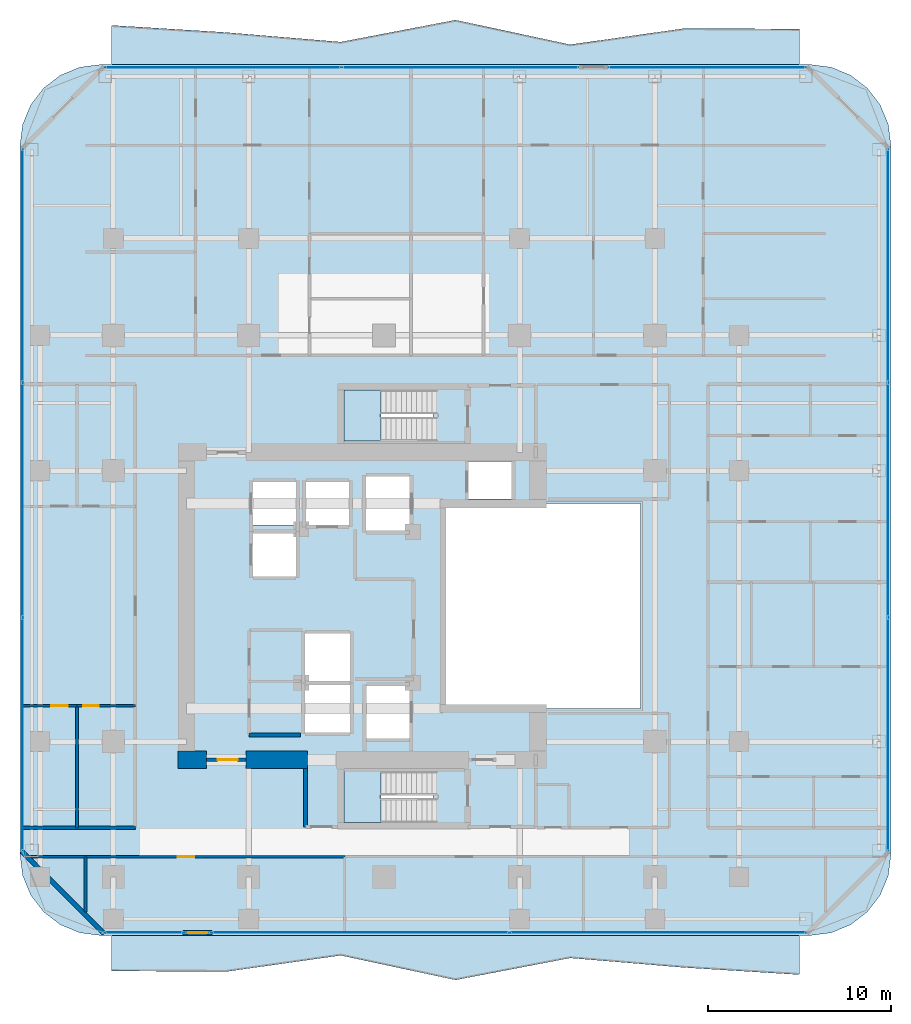
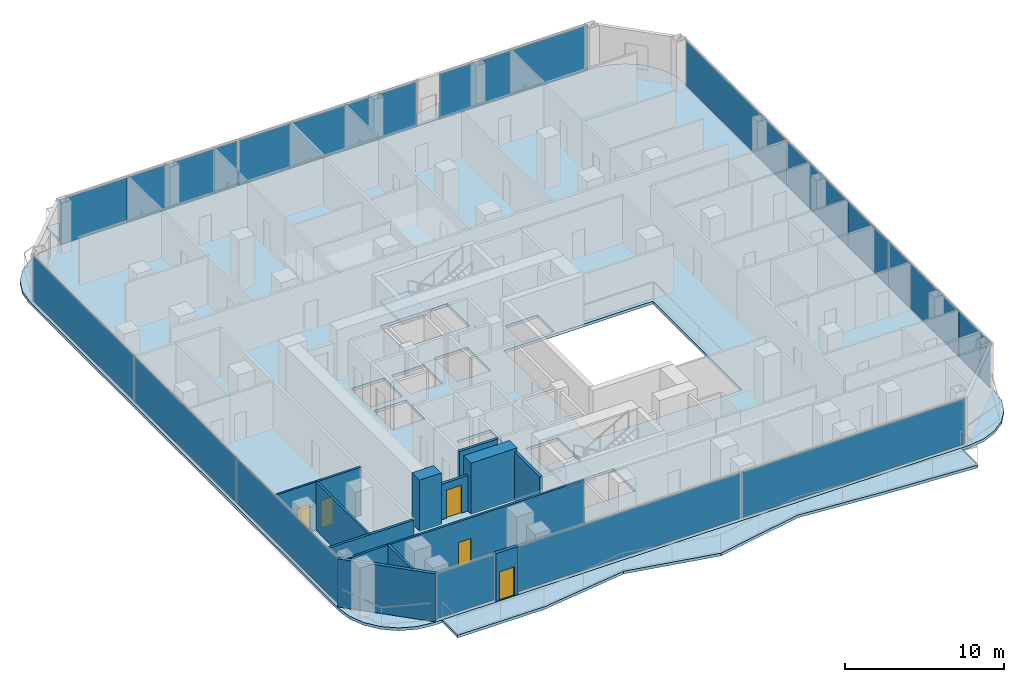
# One storey, part 19 of 27: 21 plates, 13 walls, 5 doors, 5 slabs, 5 openings, 8 elements without a shape of their own.
"""IFC4 building model written with IfcOpenShell, lengths in metres."""

import ifcopenshell
import ifcopenshell.guid

model = None  # the IFC model being written
_history = None  # IfcOwnerHistory: only IFC2X3 demands one
_inside = {}  # id of a spatial element -> (the spatial element, [elements in it])
_under = {}  # id of a project, library or spatial element -> (it, [spatial elements below it])
_declared = {}  # id of a project -> (the project, [libraries it declares])
_typed = {}  # id of a type object -> (the type object, [elements of that type])
_made_of = {}  # id of a material, layer set ... -> (it, [elements and type objects made of it])


def new_model(schema):
    """Start an empty IFC model of exactly this schema.

    Asked for "IFC4X3", IfcOpenShell would pick the latest addendum, in which some entities
    have other attributes; the version numbers below select the first issue.
    IFC2X3 requires an IfcOwnerHistory on every rooted entity: one is made here for all.
    """
    global model, _history
    if schema == "IFC4X3":
        model = ifcopenshell.file(schema_version=(4, 3, 0, 0))
    else:
        model = ifcopenshell.file(schema=schema)
    _inside.clear()
    _under.clear()
    _declared.clear()
    _typed.clear()
    _made_of.clear()
    _history = None
    if model.schema == "IFC2X3":
        org = make("IfcOrganization", Name="unknown")
        user = make(
            "IfcPersonAndOrganization",
            ThePerson=make("IfcPerson", FamilyName="unknown"),
            TheOrganization=org,
        )
        app = make(
            "IfcApplication",
            ApplicationDeveloper=org,
            Version="unknown",
            ApplicationFullName="unknown",
            ApplicationIdentifier="unknown",
        )
        _history = make(
            "IfcOwnerHistory",
            OwningUser=user,
            OwningApplication=app,
            ChangeAction="ADDED",
            CreationDate=0,
        )
    return model


def make(cls, **values):
    """One entity of the class cls with the attributes given. An attribute that is None is left unset."""
    return model.create_entity(
        cls, **{name: value for name, value in values.items() if value is not None}
    )


def rooted(cls, **values):
    """An entity with a GlobalId (a new one), such as an element, a storey or a relation."""
    return make(cls, GlobalId=ifcopenshell.guid.new(), OwnerHistory=_history, **values)


def si_unit(unit_type, name, prefix=None):
    """IfcSIUnit, for example si_unit("LENGTHUNIT", "METRE", prefix="MILLI")."""
    return make("IfcSIUnit", UnitType=unit_type, Prefix=prefix, Name=name)


def assignment(units):
    """IfcUnitAssignment: the units of a project."""
    return None if units is None else make("IfcUnitAssignment", Units=units)


def point(xyz):
    """IfcCartesianPoint."""
    return None if xyz is None else make("IfcCartesianPoint", Coordinates=xyz)


def direction(xyz):
    """IfcDirection."""
    return None if xyz is None else make("IfcDirection", DirectionRatios=xyz)


def frame(location, z_axis=None, x_axis=None):
    """IfcAxis2Placement3D, a coordinate frame: its origin and axes. An axis left out is left unset."""
    return make(
        "IfcAxis2Placement3D",
        Location=point(location),
        Axis=direction(z_axis),
        RefDirection=direction(x_axis),
    )


def frame_2d(location, x_axis=None):
    """IfcAxis2Placement2D, a coordinate frame in the plane: its origin and x axis."""
    return make(
        "IfcAxis2Placement2D", Location=point(location), RefDirection=direction(x_axis)
    )


def origin():
    """The frame at (0, 0, 0) with its axes left unset."""
    return frame((0.0, 0.0, 0.0))


def origin_2d():
    """The frame at (0, 0) in the plane with its x axis left unset."""
    return frame_2d((0.0, 0.0))


def place(relative_to, where):
    """IfcLocalPlacement: puts the frame where relative to a parent placement (None: the world)."""
    return make(
        "IfcLocalPlacement", PlacementRelTo=relative_to, RelativePlacement=where
    )


def context(
    kind, dimensions, precision=None, world=None, true_north=None, identifier=None
):
    """IfcGeometricRepresentationContext, for example the 3D "Model" context."""
    return make(
        "IfcGeometricRepresentationContext",
        ContextIdentifier=identifier,
        ContextType=kind,
        CoordinateSpaceDimension=dimensions,
        Precision=precision,
        WorldCoordinateSystem=world,
        TrueNorth=true_north,
    )


def subcontext(parent, identifier, kind, view, scale=None):
    """IfcGeometricRepresentationSubContext, for example "Body" below "Model"."""
    return make(
        "IfcGeometricRepresentationSubContext",
        ContextIdentifier=identifier,
        ContextType=kind,
        ParentContext=parent,
        TargetScale=scale,
        TargetView=view,
    )


def project(units=None, contexts=None):
    """IfcProject with its units and contexts."""
    return rooted(
        "IfcProject",
        Name="project",
        RepresentationContexts=contexts,
        UnitsInContext=assignment(units),
    )


def spatial(cls, under=None, at=None, **own):
    """A site, building, storey or space (cls), placed at a placement, below another one or the project."""
    s = rooted(cls, ObjectPlacement=at, **own)
    if under is not None:
        _under.setdefault(under.id(), (under, []))[1].append(s)
    return s


def polyline(points):
    """IfcPolyline through the points."""
    return make("IfcPolyline", Points=[point(p) for p in points])


def profile(cls, at=None, kind="AREA", **sizes):
    """A parametric profile (cls). Its sizes go by their IFC names, for example OverallWidth=200.0."""
    return make(cls, ProfileType=kind, Position=at, **sizes)


def rectangle(**sizes):
    """IfcRectangleProfileDef."""
    return profile("IfcRectangleProfileDef", **sizes)


def outline(outer, holes=None, kind="AREA"):
    """IfcArbitraryClosedProfileDef: a profile drawn as a closed curve; with holes, ...WithVoids."""
    if holes is None:
        return make("IfcArbitraryClosedProfileDef", ProfileType=kind, OuterCurve=outer)
    return make(
        "IfcArbitraryProfileDefWithVoids",
        ProfileType=kind,
        OuterCurve=outer,
        InnerCurves=holes,
    )


def extrude(swept, where, along, depth):
    """IfcExtrudedAreaSolid: the profile swept, set in the frame where, extruded along a direction by depth."""
    return make(
        "IfcExtrudedAreaSolid",
        SweptArea=swept,
        Position=where,
        ExtrudedDirection=direction(along),
        Depth=depth,
    )


def shape(context_of_items, identifier, shape_type, items):
    """IfcShapeRepresentation: the items that make up one representation, for example the "Body"."""
    return make(
        "IfcShapeRepresentation",
        ContextOfItems=context_of_items,
        RepresentationIdentifier=identifier,
        RepresentationType=shape_type,
        Items=items,
    )


def material(Name=None, Category=None):
    """IfcMaterial."""
    return make("IfcMaterial", Name=Name, Category=Category)


def layer(
    of_material, thickness, ventilated=None, Name=None, Category=None, Priority=None
):
    """IfcMaterialLayer: one layer of a wall or slab, of a material (None: an air gap)."""
    return make(
        "IfcMaterialLayer",
        Material=of_material,
        LayerThickness=thickness,
        IsVentilated=ventilated,
        Name=Name,
        Category=Category,
        Priority=Priority,
    )


def layer_set(layers, Name=None):
    """IfcMaterialLayerSet."""
    return make("IfcMaterialLayerSet", MaterialLayers=layers, LayerSetName=Name)


def made_of(thing, what):
    """Note that an element or type object is made of a material, layer set ...; save() writes the relation."""
    if what is not None:
        _made_of.setdefault(what.id(), (what, []))[1].append(thing)
    return thing


def type_object(cls, material=None, **own):
    """A type object (cls), such as IfcWallType, which elements share."""
    return made_of(rooted(cls, **own), material)


def element(
    cls,
    number,
    at=None,
    inside=None,
    cuts=None,
    type_object=None,
    material=None,
    context=None,
    identifier="Body",
    shape_type=None,
    held_by="IfcProductDefinitionShape",
    body=None,
    shapes=None,
    **own,
):
    """One element of the class cls, such as IfcWall. Its Tag is "e" and its number.

    at: its placement. inside: the storey or other place that contains it. cuts: it is an
    opening in that element (IfcRelVoidsElement). A single representation is given by context,
    identifier, shape_type and body (its items); several are given by shapes. held_by: the class
    of the entity that holds the representations. save() writes the other relations.
    """
    e = rooted(cls, Tag="e%d" % number, ObjectPlacement=at, **own)
    if body is not None:
        shapes = [shape(context, identifier, shape_type, body)]
    if shapes is not None:
        e.Representation = make(held_by, Representations=shapes)
    if inside is not None:
        _inside.setdefault(inside.id(), (inside, []))[1].append(e)
    if cuts is not None:
        rooted(
            "IfcRelVoidsElement", RelatingBuildingElement=cuts, RelatedOpeningElement=e
        )
    if type_object is not None:
        _typed.setdefault(type_object.id(), (type_object, []))[1].append(e)
    return made_of(e, material)


def fill(opening, filler):
    """IfcRelFillsElement: the door or window that sits in an opening."""
    return rooted(
        "IfcRelFillsElement",
        RelatingOpeningElement=opening,
        RelatedBuildingElement=filler,
    )


def aggregate(whole, parts):
    """IfcRelAggregates: a whole, such as a stair, and the parts it consists of."""
    return rooted("IfcRelAggregates", RelatingObject=whole, RelatedObjects=parts)


def save(model, path):
    """Write the relations noted so far, then the file.

    IfcRelAggregates (storeys below a building ...), IfcRelContainedInSpatialStructure (elements
    in a storey), IfcRelDefinesByType, IfcRelAssociatesMaterial and IfcRelDeclares: one each for
    every whole, place, type object, material and project.
    """
    for whole, parts in _under.values():
        aggregate(whole, parts)
    for where, things in _inside.values():
        rooted(
            "IfcRelContainedInSpatialStructure",
            RelatedElements=things,
            RelatingStructure=where,
        )
    for kind, things in _typed.values():
        rooted("IfcRelDefinesByType", RelatedObjects=things, RelatingType=kind)
    for what, things in _made_of.values():
        rooted("IfcRelAssociatesMaterial", RelatedObjects=things, RelatingMaterial=what)
    for by, libraries in _declared.values():
        rooted("IfcRelDeclares", RelatingContext=by, RelatedDefinitions=libraries)
    model.write(path)


model = new_model("IFC4")

# Units and contexts
model_context = context("Model", 3, precision=1e-05, world=origin(), true_north=direction((0.0, 1.0)))
body_context = subcontext(model_context, "Body", "Model", "MODEL_VIEW")
ifc_project = project(units=[si_unit("LENGTHUNIT", "METRE"), si_unit("AREAUNIT", "SQUARE_METRE"), si_unit("VOLUMEUNIT", "CUBIC_METRE"), si_unit("PLANEANGLEUNIT", "RADIAN"), si_unit("MASSUNIT", "GRAM", prefix="KILO")], contexts=[model_context])

# Site, building, storey
site_placement = place(None, origin())
site = spatial("IfcSite", under=ifc_project, at=site_placement, CompositionType="ELEMENT")
building_placement = place(site_placement, origin())
building = spatial("IfcBuilding", under=site, at=building_placement, Name="Khorvyn Point Tower", CompositionType="ELEMENT")
storey_placement = place(building_placement, frame((0.0, 0.0, 129.0)))
storey = spatial("IfcBuildingStorey", under=building, at=storey_placement, Name="L32", CompositionType="ELEMENT", Elevation=129.0)

# Slabs
ifc_material_1 = material(Name="Concrete C35/45", Category="concrete")
ifc_layer_1 = layer(ifc_material_1, 0.219970703125)
ifc_layer_set_1 = layer_set([ifc_layer_1], Name="Concrete C35/45 Structural Floor Slab 220")
slab_type_1 = type_object("IfcSlabType", Name="Concrete C35/45 Structural Floor Slab 220", PredefinedType="FLOOR", material=ifc_layer_set_1)
slab_1_placement = place(storey_placement, frame((0.0, 0.0, -0.219970703125)))
element("IfcSlab", 1, at=slab_1_placement, inside=storey, type_object=slab_type_1, Name="L32 Main Structural Floor Slab", PredefinedType="FLOOR", context=body_context, shape_type="SweptSolid", body=[
    extrude(outline(polyline([(-15.5, -18.0), (-16.638916015625, -17.85009765625), (-17.699951171875, -17.410400390625), (-18.611328125, -16.711181640625), (-19.310546875, -15.800048828125), (-19.75, -14.73876953125), (-19.89990234375, -13.60009765625), (-19.89990234375, 25.199951171875), (-19.75, 26.3388671875), (-19.310546875, 27.39990234375), (-18.611328125, 28.311279296875), (-17.699951171875, 29.010498046875), (-16.638916015625, 29.4501953125), (-15.5, 29.60009765625), (23.300048828125, 29.60009765625), (24.438720703125, 29.4501953125), (25.5, 29.010498046875), (26.411376953125, 28.311279296875), (27.110595703125, 27.39990234375), (27.550048828125, 26.3388671875), (27.699951171875, 25.199951171875), (27.699951171875, -13.60009765625), (27.550048828125, -14.73876953125), (27.110595703125, -15.800048828125), (26.411376953125, -16.711181640625), (25.5, -17.410400390625), (24.438720703125, -17.85009765625), (23.300048828125, -18.0), (-15.5, -18.0)]), holes=[polyline([(-1.875, -6.89990234375), (-1.875, -4.300048828125), (-4.324951171875, -4.300048828125), (-4.324951171875, -6.89990234375), (-1.875, -6.89990234375)]), polyline([(-1.875, -4.10009765625), (-1.875, -1.5), (-4.324951171875, -1.5), (-4.324951171875, -4.10009765625), (-1.875, -4.10009765625)]), polyline([(-4.824951171875, 1.625), (-4.824951171875, 3.97509765625), (-7.175048828125, 3.97509765625), (-7.175048828125, 1.625), (-4.824951171875, 1.625)]), polyline([(-7.175048828125, 4.425048828125), (-4.824951171875, 4.425048828125), (-4.824951171875, 6.77490234375), (-7.175048828125, 6.77490234375), (-7.175048828125, 4.425048828125)]), polyline([(-4.27490234375, 4.425048828125), (-1.925048828125, 4.425048828125), (-1.925048828125, 6.77490234375), (-4.27490234375, 6.77490234375), (-4.27490234375, 4.425048828125)]), polyline([(1.39990234375, 4.125), (1.39990234375, 7.074951171875), (-1.0, 7.074951171875), (-1.0, 4.125), (1.39990234375, 4.125)]), polyline([(-2.199951171875, -11.820068359375), (2.679931640625, -11.820068359375), (2.679931640625, -9.02001953125), (-2.199951171875, -9.02001953125), (-2.199951171875, -11.820068359375)]), polyline([(-0.97509765625, -7.22509765625), (1.375, -7.22509765625), (1.375, -4.375), (-0.97509765625, -4.375), (-0.97509765625, -7.22509765625)]), polyline([(14.0, -5.60009765625), (14.0, 5.60009765625), (3.199951171875, 5.60009765625), (3.199951171875, -5.60009765625), (14.0, -5.60009765625)]), polyline([(4.625, 5.85009765625), (6.97509765625, 5.85009765625), (6.97509765625, 7.905029296875), (4.625, 7.905029296875), (4.625, 5.85009765625)]), polyline([(-2.199951171875, 9.02001953125), (2.679931640625, 9.02001953125), (2.679931640625, 11.820068359375), (-2.199951171875, 11.820068359375), (-2.199951171875, 9.02001953125)])]), origin(), (0.0, 0.0, 1.0), 0.219970703125),
])
ifc_material_2 = material(Name="Concrete C40/50", Category="concrete")
ifc_layer_2 = layer(ifc_material_2, 0.2099609375)
ifc_layer_set_2 = layer_set([ifc_layer_2], Name="Concrete C40/50 Rippling Balcony Slab 210")
slab_type_2 = type_object("IfcSlabType", Name="Concrete C40/50 Rippling Balcony Slab 210", PredefinedType="USERDEFINED", material=ifc_layer_set_2)
slab_2_placement = place(storey_placement, frame((0.0, 0.0, -0.2099609375)))
element("IfcSlab", 2, at=slab_2_placement, inside=storey, type_object=slab_type_2, Name="L32 North Sinusoidal Rippling Balcony", ObjectType="BALCONY", PredefinedType="USERDEFINED", context=body_context, shape_type="SweptSolid", body=[
    extrude(outline(polyline([(22.699951171875, 29.60009765625), (22.699951171875, 31.54150390625), (16.433349609375, 31.577392578125), (10.166748046875, 30.689697265625), (3.89990234375, 32.03369140625), (-2.36669921875, 30.83251953125), (-8.63330078125, 31.35546875), (-14.89990234375, 31.74365234375), (-14.89990234375, 29.60009765625), (22.699951171875, 29.60009765625)])), origin(), (0.0, 0.0, 1.0), 0.2099609375),
])
slab_3_placement = place(storey_placement, frame((0.0, 0.0, -0.2099609375)))
element("IfcSlab", 3, at=slab_3_placement, inside=storey, type_object=slab_type_2, Name="L32 South Sinusoidal Rippling Balcony", ObjectType="BALCONY", PredefinedType="USERDEFINED", context=body_context, shape_type="SweptSolid", body=[
    extrude(outline(polyline([(-14.89990234375, -18.0), (-14.89990234375, -19.94140625), (-8.63330078125, -19.977294921875), (-2.36669921875, -19.089599609375), (3.89990234375, -20.43359375), (10.166748046875, -19.232421875), (16.433349609375, -19.75537109375), (22.699951171875, -20.1435546875), (22.699951171875, -18.0), (-14.89990234375, -18.0)])), origin(), (0.0, 0.0, 1.0), 0.2099609375),
])

# Stair, slab
stair_type = type_object("IfcStairType", Name="Tower Concrete C40/50 Dogleg Exit Stair", PredefinedType="HALF_TURN_STAIR", material=ifc_material_2)
stair_1_placement = place(storey_placement, origin())
stair_1 = element("IfcStair", 4, at=stair_1_placement, inside=storey, type_object=stair_type, Name="L32 Tower Smokeproof Exit Stair South", PredefinedType="HALF_TURN_STAIR")
ifc_layer_3 = layer(ifc_material_2, 0.199951171875)
ifc_layer_set_3 = layer_set([ifc_layer_3], Name="Concrete C40/50 Stair Landing Slab 200")
slab_type_3 = type_object("IfcSlabType", Name="Concrete C40/50 Stair Landing Slab 200", PredefinedType="LANDING", material=ifc_layer_set_3)
slab_4_placement = place(storey_placement, frame((0.0, 0.0, 1.75)))
slab_4 = element("IfcSlab", 5, at=slab_4_placement, type_object=slab_type_3, Name="ST-01 landing 1", PredefinedType="LANDING", context=body_context, shape_type="SweptSolid", body=[
    extrude(outline(polyline([(-0.179931640625, -9.02001953125), (-2.199951171875, -9.02001953125), (-2.199951171875, -11.820068359375), (-0.179931640625, -11.820068359375), (-0.179931640625, -9.02001953125)])), origin(), (0.0, 0.0, 1.0), 0.199951171875),
])
aggregate(stair_1, [slab_4])

stair_2_placement = place(storey_placement, origin())
stair_2 = element("IfcStair", 6, at=stair_2_placement, inside=storey, type_object=stair_type, Name="L32 Tower Smokeproof Exit Stair North", PredefinedType="HALF_TURN_STAIR")
slab_5_placement = place(storey_placement, frame((0.0, 0.0, 1.75)))
slab_5 = element("IfcSlab", 7, at=slab_5_placement, type_object=slab_type_3, Name="ST-02 landing 1", PredefinedType="LANDING", context=body_context, shape_type="SweptSolid", body=[
    extrude(outline(polyline([(-0.179931640625, 11.820068359375), (-2.199951171875, 11.820068359375), (-2.199951171875, 9.02001953125), (-0.179931640625, 9.02001953125), (-0.179931640625, 11.820068359375)])), origin(), (0.0, 0.0, 1.0), 0.199951171875),
])
aggregate(stair_2, [slab_5])

# Curtain wall, plates
ifc_material_3 = material(Name="Anodised aluminium 6063-T6 and laminated Low-E glass", Category="aluminium")
ifc_layer_4 = layer(ifc_material_3, 0.18994140625)
ifc_layer_set_4 = layer_set([ifc_layer_4], Name="Stick-Built Acoustic Curtain Wall CW-SYS-03")
curtain_wall_type = type_object("IfcCurtainWallType", Name="Stick-Built Acoustic Curtain Wall CW-SYS-03", PredefinedType="NOTDEFINED", material=ifc_layer_set_4)
curtain_wall_1_placement = place(storey_placement, origin())
curtain_wall_1 = element("IfcCurtainWall", 8, at=curtain_wall_1_placement, inside=storey, type_object=curtain_wall_type, Name="Curtain Wall", PredefinedType="NOTDEFINED")
ifc_material_4 = material(Name="Laminated Low-E insulated glass", Category="glass")
ifc_layer_5 = layer(ifc_material_4, 0.028076171875)
ifc_layer_set_5 = layer_set([ifc_layer_5], Name="Tempered Low-E Vision Glazing Panel CW-GL28")
plate_type = type_object("IfcPlateType", Name="Tempered Low-E Vision Glazing Panel CW-GL28", PredefinedType="CURTAIN_PANEL", material=ifc_layer_set_5)
plate_1_placement = place(storey_placement, frame((14.96923828125, -17.85009765625, 0.10009765625), z_axis=(0.0, 0.0, 1.0), x_axis=(-1.0, 0.0, 0.0)))
plate_1 = element("IfcPlate", 9, at=plate_1_placement, type_object=plate_type, Name="Panel", PredefinedType="CURTAIN_PANEL", context=body_context, shape_type="SweptSolid", body=[
    extrude(rectangle(XDim=16.16162109375, YDim=0.028076171875, at=origin_2d()), origin(), (0.0, 0.0, 1.0), 3.47998046875),
])
plate_2_placement = place(storey_placement, frame((-1.292236328125, -17.85009765625, 0.10009765625), z_axis=(0.0, 0.0, 1.0), x_axis=(-1.0, 0.0, 0.0)))
plate_2 = element("IfcPlate", 10, at=plate_2_placement, type_object=plate_type, Name="Panel", PredefinedType="CURTAIN_PANEL", context=body_context, shape_type="SweptSolid", body=[
    extrude(rectangle(XDim=16.16162109375, YDim=0.028076171875, at=origin_2d()), origin(), (0.0, 0.0, 1.0), 3.47998046875),
])
aggregate(curtain_wall_1, [plate_1, plate_2])

# Curtain wall, plate
curtain_wall_2_placement = place(storey_placement, origin())
curtain_wall_2 = element("IfcCurtainWall", 11, at=curtain_wall_2_placement, inside=storey, type_object=curtain_wall_type, Name="Curtain Wall", PredefinedType="NOTDEFINED")
plate_3_placement = place(storey_placement, frame((-13.131591796875, -17.85009765625, 0.10009765625), z_axis=(0.0, 0.0, 1.0), x_axis=(-1.0, 0.0, 0.0)))
plate_3 = element("IfcPlate", 12, at=plate_3_placement, type_object=plate_type, Name="Panel", PredefinedType="CURTAIN_PANEL", context=body_context, shape_type="SweptSolid", body=[
    extrude(rectangle(XDim=4.237060546875, YDim=0.028076171875, at=origin_2d()), origin(), (0.0, 0.0, 1.0), 3.47998046875),
])
aggregate(curtain_wall_2, [plate_3])

# Curtain wall, plates
curtain_wall_3_placement = place(storey_placement, origin())
curtain_wall_3 = element("IfcCurtainWall", 13, at=curtain_wall_3_placement, inside=storey, type_object=curtain_wall_type, Name="Curtain Wall", PredefinedType="NOTDEFINED")
plate_4_placement = place(storey_placement, frame((-12.80810546875, 29.449951171875, 0.10009765625), z_axis=(0.0, 0.0, 1.0), x_axis=(1.0, 0.0, 0.0)))
plate_4 = element("IfcPlate", 14, at=plate_4_placement, type_object=plate_type, Name="Panel", PredefinedType="CURTAIN_PANEL", context=body_context, shape_type="SweptSolid", body=[
    extrude(rectangle(XDim=4.8759765625, YDim=0.028076171875, at=origin_2d()), origin(), (0.0, 0.0, 1.0), 3.47998046875),
])
plate_5_placement = place(storey_placement, frame((-7.19189453125, 29.449951171875, 0.10009765625), z_axis=(0.0, 0.0, 1.0), x_axis=(1.0, 0.0, 0.0)))
plate_5 = element("IfcPlate", 15, at=plate_5_placement, type_object=plate_type, Name="Panel", PredefinedType="CURTAIN_PANEL", context=body_context, shape_type="SweptSolid", body=[
    extrude(rectangle(XDim=6.340087890625, YDim=0.028076171875, at=origin_2d()), origin(), (0.0, 0.0, 1.0), 3.47998046875),
])
plate_6_placement = place(storey_placement, frame((-3.1904296875, 29.449951171875, 0.10009765625), z_axis=(0.0, 0.0, 1.0), x_axis=(1.0, 0.0, 0.0)))
plate_6 = element("IfcPlate", 16, at=plate_6_placement, type_object=plate_type, Name="Panel", PredefinedType="CURTAIN_PANEL", context=body_context, shape_type="SweptSolid", body=[
    extrude(rectangle(XDim=1.64697265625, YDim=0.028076171875, at=origin_2d()), origin(), (0.0, 0.0, 1.0), 3.47998046875),
])
plate_7_placement = place(storey_placement, frame((-0.424560546875, 29.449951171875, 0.10009765625), z_axis=(0.0, 0.0, 1.0), x_axis=(1.0, 0.0, 0.0)))
plate_7 = element("IfcPlate", 17, at=plate_7_placement, type_object=plate_type, Name="Panel", PredefinedType="CURTAIN_PANEL", context=body_context, shape_type="SweptSolid", body=[
    extrude(rectangle(XDim=3.6689453125, YDim=0.028076171875, at=origin_2d()), origin(), (0.0, 0.0, 1.0), 3.47998046875),
])
plate_8_placement = place(storey_placement, frame((6.01904296875, 29.449951171875, 0.10009765625), z_axis=(0.0, 0.0, 1.0), x_axis=(1.0, 0.0, 0.0)))
plate_8 = element("IfcPlate", 18, at=plate_8_placement, type_object=plate_type, Name="Panel", PredefinedType="CURTAIN_PANEL", context=body_context, shape_type="SweptSolid", body=[
    extrude(rectangle(XDim=9.201904296875, YDim=0.028076171875, at=origin_2d()), origin(), (0.0, 0.0, 1.0), 3.47998046875),
])
aggregate(curtain_wall_3, [plate_4, plate_5, plate_6, plate_7, plate_8])

# Curtain wall, plate
curtain_wall_4_placement = place(storey_placement, origin())
curtain_wall_4 = element("IfcCurtainWall", 19, at=curtain_wall_4_placement, inside=storey, type_object=curtain_wall_type, Name="Curtain Wall", PredefinedType="NOTDEFINED")
plate_9_placement = place(storey_placement, frame((17.656982421875, 29.449951171875, 0.10009765625), z_axis=(0.0, 0.0, 1.0), x_axis=(1.0, 0.0, 0.0)))
plate_9 = element("IfcPlate", 20, at=plate_9_placement, type_object=plate_type, Name="Panel", PredefinedType="CURTAIN_PANEL", context=body_context, shape_type="SweptSolid", body=[
    extrude(rectangle(XDim=10.785888671875, YDim=0.028076171875, at=origin_2d()), origin(), (0.0, 0.0, 1.0), 3.47998046875),
])
aggregate(curtain_wall_4, [plate_9])

# Curtain wall, plates
curtain_wall_5_placement = place(storey_placement, origin())
curtain_wall_5 = element("IfcCurtainWall", 21, at=curtain_wall_5_placement, inside=storey, type_object=curtain_wall_type, Name="Curtain Wall", PredefinedType="NOTDEFINED")
plate_10_placement = place(storey_placement, frame((-19.75, -7.00830078125, 0.10009765625), z_axis=(0.0, 0.0, 1.0), x_axis=(0.0, 1.0, 0.0)))
plate_10 = element("IfcPlate", 22, at=plate_10_placement, type_object=plate_type, Name="Panel", PredefinedType="CURTAIN_PANEL", context=body_context, shape_type="SweptSolid", body=[
    extrude(rectangle(XDim=12.683349609375, YDim=0.028076171875, at=origin_2d()), origin(), (0.0, 0.0, 1.0), 3.47998046875),
])
plate_11_placement = place(storey_placement, frame((-19.75, 5.800048828125, 0.10009765625), z_axis=(0.0, 0.0, 1.0), x_axis=(0.0, 1.0, 0.0)))
plate_11 = element("IfcPlate", 23, at=plate_11_placement, type_object=plate_type, Name="Panel", PredefinedType="CURTAIN_PANEL", context=body_context, shape_type="SweptSolid", body=[
    extrude(rectangle(XDim=12.7333984375, YDim=0.028076171875, at=origin_2d()), origin(), (0.0, 0.0, 1.0), 3.47998046875),
])
plate_12_placement = place(storey_placement, frame((-19.75, 18.6083984375, 0.10009765625), z_axis=(0.0, 0.0, 1.0), x_axis=(0.0, 1.0, 0.0)))
plate_12 = element("IfcPlate", 24, at=plate_12_placement, type_object=plate_type, Name="Panel", PredefinedType="CURTAIN_PANEL", context=body_context, shape_type="SweptSolid", body=[
    extrude(rectangle(XDim=12.683349609375, YDim=0.028076171875, at=origin_2d()), origin(), (0.0, 0.0, 1.0), 3.47998046875),
])
aggregate(curtain_wall_5, [plate_10, plate_11, plate_12])

curtain_wall_6_placement = place(storey_placement, origin())
curtain_wall_6 = element("IfcCurtainWall", 25, at=curtain_wall_6_placement, inside=storey, type_object=curtain_wall_type, Name="Curtain Wall", PredefinedType="NOTDEFINED")
plate_13_placement = place(storey_placement, frame((27.550048828125, 18.6083984375, 0.10009765625), z_axis=(0.0, 0.0, 1.0), x_axis=(0.0, -1.0, 0.0)))
plate_13 = element("IfcPlate", 26, at=plate_13_placement, type_object=plate_type, Name="Panel", PredefinedType="CURTAIN_PANEL", context=body_context, shape_type="SweptSolid", body=[
    extrude(rectangle(XDim=12.683349609375, YDim=0.028076171875, at=origin_2d()), origin(), (0.0, 0.0, 1.0), 3.47998046875),
])
plate_14_placement = place(storey_placement, frame((27.550048828125, 0.34130859375, 0.10009765625), z_axis=(0.0, 0.0, 1.0), x_axis=(0.0, -1.0, 0.0)))
plate_14 = element("IfcPlate", 27, at=plate_14_placement, type_object=plate_type, Name="Panel", PredefinedType="CURTAIN_PANEL", context=body_context, shape_type="SweptSolid", body=[
    extrude(rectangle(XDim=1.8076171875, YDim=0.028076171875, at=origin_2d()), origin(), (0.0, 0.0, 1.0), 3.47998046875),
])
plate_15_placement = place(storey_placement, frame((27.550048828125, 2.96044921875, 0.10009765625), z_axis=(0.0, 0.0, 1.0), x_axis=(0.0, -1.0, 0.0)))
plate_15 = element("IfcPlate", 28, at=plate_15_placement, type_object=plate_type, Name="Panel", PredefinedType="CURTAIN_PANEL", context=body_context, shape_type="SweptSolid", body=[
    extrude(rectangle(XDim=3.175048828125, YDim=0.028076171875, at=origin_2d()), origin(), (0.0, 0.0, 1.0), 3.47998046875),
])
plate_16_placement = place(storey_placement, frame((27.550048828125, 6.966064453125, 0.10009765625), z_axis=(0.0, 0.0, 1.0), x_axis=(0.0, -1.0, 0.0)))
plate_16 = element("IfcPlate", 29, at=plate_16_placement, type_object=plate_type, Name="Panel", PredefinedType="CURTAIN_PANEL", context=body_context, shape_type="SweptSolid", body=[
    extrude(rectangle(XDim=4.820068359375, YDim=0.028076171875, at=origin_2d()), origin(), (0.0, 0.0, 1.0), 3.47998046875),
])
plate_17_placement = place(storey_placement, frame((27.550048828125, 10.773193359375, 0.10009765625), z_axis=(0.0, 0.0, 1.0), x_axis=(0.0, -1.0, 0.0)))
plate_17 = element("IfcPlate", 30, at=plate_17_placement, type_object=plate_type, Name="Panel", PredefinedType="CURTAIN_PANEL", context=body_context, shape_type="SweptSolid", body=[
    extrude(rectangle(XDim=2.77880859375, YDim=0.028076171875, at=origin_2d()), origin(), (0.0, 0.0, 1.0), 3.47998046875),
])
plate_18_placement = place(storey_placement, frame((27.550048828125, -12.705078125, 0.10009765625), z_axis=(0.0, 0.0, 1.0), x_axis=(0.0, -1.0, 0.0)))
plate_18 = element("IfcPlate", 31, at=plate_18_placement, type_object=plate_type, Name="Panel", PredefinedType="CURTAIN_PANEL", context=body_context, shape_type="SweptSolid", body=[
    extrude(rectangle(XDim=1.281982421875, YDim=0.028076171875, at=origin_2d()), origin(), (0.0, 0.0, 1.0), 3.47998046875),
])
plate_19_placement = place(storey_placement, frame((27.550048828125, -10.719970703125, 0.10009765625), z_axis=(0.0, 0.0, 1.0), x_axis=(0.0, -1.0, 0.0)))
plate_19 = element("IfcPlate", 32, at=plate_19_placement, type_object=plate_type, Name="Panel", PredefinedType="CURTAIN_PANEL", context=body_context, shape_type="SweptSolid", body=[
    extrude(rectangle(XDim=2.672119140625, YDim=0.028076171875, at=origin_2d()), origin(), (0.0, 0.0, 1.0), 3.47998046875),
])
plate_20_placement = place(storey_placement, frame((27.550048828125, -6.318603515625, 0.10009765625), z_axis=(0.0, 0.0, 1.0), x_axis=(0.0, -1.0, 0.0)))
plate_20 = element("IfcPlate", 33, at=plate_20_placement, type_object=plate_type, Name="Panel", PredefinedType="CURTAIN_PANEL", context=body_context, shape_type="SweptSolid", body=[
    extrude(rectangle(XDim=6.114990234375, YDim=0.028076171875, at=origin_2d()), origin(), (0.0, 0.0, 1.0), 3.47998046875),
])
plate_21_placement = place(storey_placement, frame((27.550048828125, -1.9619140625, 0.10009765625), z_axis=(0.0, 0.0, 1.0), x_axis=(0.0, -1.0, 0.0)))
plate_21 = element("IfcPlate", 34, at=plate_21_placement, type_object=plate_type, Name="Panel", PredefinedType="CURTAIN_PANEL", context=body_context, shape_type="SweptSolid", body=[
    extrude(rectangle(XDim=2.582275390625, YDim=0.028076171875, at=origin_2d()), origin(), (0.0, 0.0, 1.0), 3.47998046875),
])
aggregate(curtain_wall_6, [plate_13, plate_14, plate_15, plate_16, plate_17, plate_18, plate_19, plate_20, plate_21])

# Walls
ifc_material_5 = material(Name="Double acoustic gypsum on twin steel stud", Category="steel")
ifc_layer_6 = layer(ifc_material_5, 0.179931640625)
ifc_layer_set_6 = layer_set([ifc_layer_6], Name="Acoustic Double-Stud Apartment Demising Wall 180")
wall_type_1 = type_object("IfcWallType", Name="Acoustic Double-Stud Apartment Demising Wall 180", PredefinedType="PARTITIONING", material=ifc_layer_set_6)
wall_1_placement = place(storey_placement, frame((-16.320068359375, -16.7099609375, 0.0), z_axis=(0.0, 0.0, 1.0), x_axis=(0.0, 1.0, 0.0)))
element("IfcWall", 35, at=wall_1_placement, inside=storey, type_object=wall_type_1, Name="Wall", PredefinedType="PARTITIONING", context=body_context, shape_type="SweptSolid", body=[
    extrude(rectangle(XDim=3.010009765625, YDim=0.179931640625, at=frame_2d((1.5048828125, 0.0))), origin(), (0.0, 0.0, 1.0), 3.679931640625),
])
wall_2_placement = place(storey_placement, frame((-19.72998046875, -12.1201171875, 0.0), z_axis=(0.0, 0.0, 1.0), x_axis=(1.0, 0.0, 0.0)))
element("IfcWall", 36, at=wall_2_placement, inside=storey, type_object=wall_type_1, Name="Wall", PredefinedType="PARTITIONING", context=body_context, shape_type="SweptSolid", body=[
    extrude(rectangle(XDim=6.1298828125, YDim=0.179931640625, at=frame_2d((3.06494140625, 0.0))), origin(), (0.0, 0.0, 1.0), 3.679931640625),
])

# Wall, opening, door
ifc_material_6 = material(Name="Pale anodised aluminium rainscreen on steel stud", Category="steel")
ifc_layer_7 = layer(ifc_material_6, 0.239990234375)
ifc_layer_set_7 = layer_set([ifc_layer_7], Name="Anodised Aluminium Insulated Corner Spandrel Wall 240")
wall_type_2 = type_object("IfcWallType", Name="Anodised Aluminium Insulated Corner Spandrel Wall 240", PredefinedType="SOLIDWALL", material=ifc_layer_set_7)
wall_3_placement = place(storey_placement, frame((-9.403076171875, -17.85009765625, 0.0), z_axis=(0.0, 0.0, 1.0), x_axis=(-1.0, 0.0, 0.0)))
wall_3 = element("IfcWall", 37, at=wall_3_placement, inside=storey, type_object=wall_type_2, Name="L32 South Outdoor Threshold Wall", PredefinedType="SOLIDWALL", context=body_context, shape_type="SweptSolid", body=[
    extrude(rectangle(XDim=1.579833984375, YDim=0.239990234375, at=frame_2d((0.7900390625, 0.0))), origin(), (0.0, 0.0, 1.0), 3.679931640625),
])
opening_1_placement = place(wall_3_placement, frame((0.239990234375, 0.0, 0.0)))
opening_1 = element("IfcOpeningElement", 38, at=opening_1_placement, cuts=wall_3, Name="Opening BD-1122", PredefinedType="OPENING", context=body_context, shape_type="SweptSolid", body=[
    extrude(rectangle(XDim=1.10009765625, YDim=2.199951171875, at=frame_2d((0.550048828125, 1.10009765625))), frame((0.0, 0.1298828125, 0.0), z_axis=(0.0, -1.0, 0.0), x_axis=(1.0, 0.0, 0.0)), (0.0, 0.0, 1.0), 0.260009765625),
])
door_type_1 = type_object("IfcDoorType", Name="Glazed Balcony and Terrace Threshold Door 1100x2200", OperationType="NOTDEFINED", PredefinedType="DOOR", material=ifc_material_3)
door_1_placement = place(opening_1_placement, origin())
door_1 = element("IfcDoor", 39, at=door_1_placement, inside=storey, type_object=door_type_1, Name="L32 South Glazed Balcony Outdoor Door", OperationType="SINGLE_SWING_RIGHT", OverallHeight=2.199951171875, OverallWidth=1.10009765625, PredefinedType="DOOR", context=body_context, shape_type="SweptSolid", body=[
    extrude(rectangle(XDim=1.10009765625, YDim=2.199951171875, at=frame_2d((0.550048828125, 1.10009765625))), frame((0.0, 0.02490234375, 0.0), z_axis=(0.0, -1.0, 0.0), x_axis=(1.0, 0.0, 0.0)), (0.0, 0.0, 1.0), 0.050048828125),
])
fill(opening_1, door_1)

# Wall
wall_4_placement = place(storey_placement, frame((-15.3076171875, -17.892333984375, 0.0), z_axis=(0.0, 0.0, 1.0), x_axis=(-0.707126027686, 0.707087534163, 0.0)))
element("IfcWall", 40, at=wall_4_placement, inside=storey, type_object=wall_type_2, Name="L32 Rounded Corner Wall SW", PredefinedType="SOLIDWALL", context=body_context, shape_type="SweptSolid", body=[
    extrude(rectangle(XDim=6.34228515625, YDim=0.239990234375, at=frame_2d((3.171142578125, 0.0))), origin(), (0.0, 0.0, 1.0), 3.679931640625),
])

# Wall, opening, door
ifc_layer_8 = layer(ifc_material_2, 0.199951171875)
ifc_layer_set_8 = layer_set([ifc_layer_8], Name="Concrete C40/50 Fire-Lobby Compartment Wall 200")
wall_type_3 = type_object("IfcWallType", Name="Concrete C40/50 Fire-Lobby Compartment Wall 200", PredefinedType="SOLIDWALL", material=ifc_layer_set_8)
wall_5_placement = place(storey_placement, frame((-9.699951171875, -8.39990234375, 0.0), z_axis=(0.0, 0.0, 1.0), x_axis=(1.0, 0.0, 0.0)))
wall_5 = element("IfcWall", 41, at=wall_5_placement, inside=storey, type_object=wall_type_3, Name="Wall", PredefinedType="SOLIDWALL", context=body_context, shape_type="SweptSolid", body=[
    extrude(rectangle(XDim=2.14990234375, YDim=0.199951171875, at=frame_2d((1.074951171875, 0.0))), origin(), (0.0, 0.0, 1.0), 2.719970703125),
])
opening_2_placement = place(wall_5_placement, frame((0.597900390625, 0.0, 0.0)))
opening_2 = element("IfcOpeningElement", 42, at=opening_2_placement, cuts=wall_5, Name="Opening ID-FL90", PredefinedType="OPENING", context=body_context, shape_type="SweptSolid", body=[
    extrude(rectangle(XDim=1.10009765625, YDim=2.14990234375, at=frame_2d((0.550048828125, 1.074951171875))), frame((0.0, 0.10986328125, 0.0), z_axis=(0.0, -1.0, 0.0), x_axis=(1.0, 0.0, 0.0)), (0.0, 0.0, 1.0), 0.219970703125),
])
ifc_material_7 = material(Name="Galvanised powder-coated steel", Category="steel")
door_type_2 = type_object("IfcDoorType", Name="Fire-Rated Steel Lobby and Stair Door 1100x2150", OperationType="NOTDEFINED", PredefinedType="DOOR", material=ifc_material_7)
door_2_placement = place(opening_2_placement, origin())
door_2 = element("IfcDoor", 43, at=door_2_placement, inside=storey, type_object=door_type_2, Name="Door", OperationType="SINGLE_SWING_LEFT", OverallHeight=2.14990234375, OverallWidth=1.10009765625, PredefinedType="DOOR", context=body_context, shape_type="SweptSolid", body=[
    extrude(rectangle(XDim=1.10009765625, YDim=2.14990234375, at=frame_2d((0.550048828125, 1.074951171875))), frame((0.0, 0.02490234375, 0.0), z_axis=(0.0, -1.0, 0.0), x_axis=(1.0, 0.0, 0.0)), (0.0, 0.0, 1.0), 0.050048828125),
])
fill(opening_2, door_2)

# Walls
wall_6_placement = place(storey_placement, frame((-4.300048828125, -12.06005859375, 0.0), z_axis=(0.0, 0.0, 1.0), x_axis=(0.0, 1.0, 0.0)))
element("IfcWall", 44, at=wall_6_placement, inside=storey, type_object=wall_type_3, Name="Wall", PredefinedType="SOLIDWALL", context=body_context, shape_type="SweptSolid", body=[
    extrude(rectangle(XDim=3.18505859375, YDim=0.199951171875, at=frame_2d((1.592529296875, 0.0))), origin(), (0.0, 0.0, 1.0), 3.679931640625),
])
wall_7_placement = place(storey_placement, frame((-7.3798828125, -7.0400390625, 0.0), z_axis=(0.0, 0.0, 1.0), x_axis=(1.0, 0.0, 0.0)))
element("IfcWall", 45, at=wall_7_placement, inside=storey, type_object=wall_type_3, Name="Wall", PredefinedType="SOLIDWALL", context=body_context, shape_type="SweptSolid", body=[
    extrude(rectangle(XDim=2.7998046875, YDim=0.199951171875, at=frame_2d((1.39990234375, 0.0))), origin(), (0.0, 0.0, 1.0), 3.679931640625),
])
ifc_material_8 = material(Name="Concrete C50/60", Category="concrete")
ifc_layer_9 = layer(ifc_material_8, 0.949951171875)
ifc_layer_set_9 = layer_set([ifc_layer_9], Name="Concrete C50/60 Core Shear Wall 950")
wall_type_4 = type_object("IfcWallType", Name="Concrete C50/60 Core Shear Wall 950", PredefinedType="SHEAR", material=ifc_layer_set_9)
wall_8_placement = place(storey_placement, frame((-11.27490234375, -8.39990234375, 0.0), z_axis=(0.0, 0.0, 1.0), x_axis=(1.0, 0.0, 0.0)))
element("IfcWall", 46, at=wall_8_placement, inside=storey, type_object=wall_type_4, Name="Wall", PredefinedType="SHEAR", context=body_context, shape_type="SweptSolid", body=[
    extrude(rectangle(XDim=1.574951171875, YDim=0.949951171875, at=frame_2d((0.78759765625, 0.0))), origin(), (0.0, 0.0, 1.0), 3.89990234375),
])
wall_9_placement = place(storey_placement, frame((-7.550048828125, -8.39990234375, 0.0), z_axis=(0.0, 0.0, 1.0), x_axis=(1.0, 0.0, 0.0)))
element("IfcWall", 47, at=wall_9_placement, inside=storey, type_object=wall_type_4, Name="Wall", PredefinedType="SHEAR", context=body_context, shape_type="SweptSolid", body=[
    extrude(rectangle(XDim=3.35009765625, YDim=0.949951171875, at=frame_2d((1.675048828125, 0.0))), origin(), (0.0, 0.0, 1.0), 3.89990234375),
])

# Wall, opening, door
ifc_material_9 = material(Name="Gypsum plasterboard on steel stud", Category="steel")
ifc_layer_10 = layer(ifc_material_9, 0.1201171875)
ifc_layer_set_10 = layer_set([ifc_layer_10], Name="Gypsum Acoustic Stud Room Partition Wall 120")
wall_type_5 = type_object("IfcWallType", Name="Gypsum Acoustic Stud Room Partition Wall 120", PredefinedType="PARTITIONING", material=ifc_layer_set_10)
wall_10_placement = place(storey_placement, frame((-19.72998046875, -5.448974609375, 0.0), z_axis=(0.0, 0.0, 1.0), x_axis=(1.0, 0.0, 0.0)))
wall_10 = element("IfcWall", 48, at=wall_10_placement, inside=storey, type_object=wall_type_5, Name="Wall", PredefinedType="PARTITIONING", context=body_context, shape_type="SweptSolid", body=[
    extrude(rectangle(XDim=2.946044921875, YDim=0.1201171875, at=frame_2d((1.47314453125, 0.0))), origin(), (0.0, 0.0, 1.0), 3.679931640625),
])
opening_3_placement = place(wall_10_placement, frame((1.540771484375, 0.0, 0.0)))
opening_3 = element("IfcOpeningElement", 49, at=opening_3_placement, cuts=wall_10, Name="Opening ID-RM90", PredefinedType="OPENING", context=body_context, shape_type="SweptSolid", body=[
    extrude(rectangle(XDim=0.89990234375, YDim=2.10009765625, at=frame_2d((0.449951171875, 1.050048828125))), frame((0.0, 0.070068359375, 0.0), z_axis=(0.0, -1.0, 0.0), x_axis=(1.0, 0.0, 0.0)), (0.0, 0.0, 1.0), 0.14013671875),
])
ifc_material_10 = material(Name="Engineered oak veneer timber", Category="wood")
door_type_3 = type_object("IfcDoorType", Name="Flush Engineered Timber Room Door 900x2100", OperationType="NOTDEFINED", PredefinedType="DOOR", material=ifc_material_10)
door_3_placement = place(opening_3_placement, origin())
door_3 = element("IfcDoor", 50, at=door_3_placement, inside=storey, type_object=door_type_3, Name="Door", OperationType="SINGLE_SWING_RIGHT", OverallHeight=2.10009765625, OverallWidth=0.89990234375, PredefinedType="DOOR", context=body_context, shape_type="SweptSolid", body=[
    extrude(rectangle(XDim=0.89990234375, YDim=2.10009765625, at=frame_2d((0.449951171875, 1.050048828125))), frame((0.0, 0.02490234375, 0.0), z_axis=(0.0, -1.0, 0.0), x_axis=(1.0, 0.0, 0.0)), (0.0, 0.0, 1.0), 0.050048828125),
])
fill(opening_3, door_3)

ifc_material_11 = material(Name="Moisture-resistant gypsum and cement board", Category="gypsum")
ifc_layer_11 = layer(ifc_material_11, 0.14990234375)
ifc_layer_set_11 = layer_set([ifc_layer_11], Name="Moisture-Resistant Wet-Room Partition Wall 150")
wall_type_6 = type_object("IfcWallType", Name="Moisture-Resistant Wet-Room Partition Wall 150", PredefinedType="PARTITIONING", material=ifc_layer_set_11)
wall_11_placement = place(storey_placement, frame((-19.330078125, -13.699951171875, 0.0), z_axis=(0.0, 0.0, 1.0), x_axis=(1.0, 0.0, 0.0)))
wall_11 = element("IfcWall", 51, at=wall_11_placement, inside=storey, type_object=wall_type_6, Name="Wall", PredefinedType="PARTITIONING", context=body_context, shape_type="SweptSolid", body=[
    extrude(rectangle(XDim=17.18017578125, YDim=0.14990234375, at=frame_2d((8.590087890625, 0.0))), origin(), (0.0, 0.0, 1.0), 3.679931640625),
])
opening_4_placement = place(wall_11_placement, frame((8.05029296875, 0.0, 0.0)))
opening_4 = element("IfcOpeningElement", 52, at=opening_4_placement, cuts=wall_11, Name="Opening ID-RM90", PredefinedType="OPENING", context=body_context, shape_type="SweptSolid", body=[
    extrude(rectangle(XDim=0.89990234375, YDim=2.10009765625, at=frame_2d((0.449951171875, 1.050048828125))), frame((0.0, 0.0849609375, 0.0), z_axis=(0.0, -1.0, 0.0), x_axis=(1.0, 0.0, 0.0)), (0.0, 0.0, 1.0), 0.169921875),
])
door_4_placement = place(opening_4_placement, origin())
door_4 = element("IfcDoor", 53, at=door_4_placement, inside=storey, type_object=door_type_3, Name="Door", OperationType="SINGLE_SWING_RIGHT", OverallHeight=2.10009765625, OverallWidth=0.89990234375, PredefinedType="DOOR", context=body_context, shape_type="SweptSolid", body=[
    extrude(rectangle(XDim=0.89990234375, YDim=2.10009765625, at=frame_2d((0.449951171875, 1.050048828125))), frame((0.0, 0.02490234375, 0.0), z_axis=(0.0, -1.0, 0.0), x_axis=(1.0, 0.0, 0.0)), (0.0, 0.0, 1.0), 0.050048828125),
])
fill(opening_4, door_4)

wall_12_placement = place(storey_placement, frame((-16.783935546875, -5.448974609375, 0.0), z_axis=(0.0, 0.0, 1.0), x_axis=(1.0, 0.0, 0.0)))
wall_12 = element("IfcWall", 54, at=wall_12_placement, inside=storey, type_object=wall_type_6, Name="Wall", PredefinedType="PARTITIONING", context=body_context, shape_type="SweptSolid", body=[
    extrude(rectangle(XDim=3.183837890625, YDim=0.14990234375, at=frame_2d((1.591796875, 0.0))), origin(), (0.0, 0.0, 1.0), 3.679931640625),
])
opening_5_placement = place(wall_12_placement, frame((0.327880859375, 0.0, 0.0)))
opening_5 = element("IfcOpeningElement", 55, at=opening_5_placement, cuts=wall_12, Name="Opening ID-WC85", PredefinedType="OPENING", context=body_context, shape_type="SweptSolid", body=[
    extrude(rectangle(XDim=0.85009765625, YDim=2.10009765625, at=frame_2d((0.425048828125, 1.050048828125))), frame((0.0, 0.0849609375, 0.0), z_axis=(0.0, -1.0, 0.0), x_axis=(1.0, 0.0, 0.0)), (0.0, 0.0, 1.0), 0.169921875),
])
ifc_material_12 = material(Name="High-pressure laminate on moisture-resistant core", Category="wood")
door_type_4 = type_object("IfcDoorType", Name="Moisture-Resistant Accessible Washroom Door 850x2100", OperationType="NOTDEFINED", PredefinedType="DOOR", material=ifc_material_12)
door_5_placement = place(opening_5_placement, origin())
door_5 = element("IfcDoor", 56, at=door_5_placement, inside=storey, type_object=door_type_4, Name="Door", OperationType="SINGLE_SWING_LEFT", OverallHeight=2.10009765625, OverallWidth=0.85009765625, PredefinedType="DOOR", context=body_context, shape_type="SweptSolid", body=[
    extrude(rectangle(XDim=0.85009765625, YDim=2.10009765625, at=frame_2d((0.425048828125, 1.050048828125))), frame((0.0, 0.02490234375, 0.0), z_axis=(0.0, -1.0, 0.0), x_axis=(1.0, 0.0, 0.0)), (0.0, 0.0, 1.0), 0.050048828125),
])
fill(opening_5, door_5)

# Wall
wall_13_placement = place(storey_placement, frame((-16.783935546875, -12.1201171875, 0.0), z_axis=(0.0, 0.0, 1.0), x_axis=(0.0, 1.0, 0.0)))
element("IfcWall", 57, at=wall_13_placement, inside=storey, type_object=wall_type_6, Name="Wall", PredefinedType="PARTITIONING", context=body_context, shape_type="SweptSolid", body=[
    extrude(rectangle(XDim=6.671142578125, YDim=0.14990234375, at=frame_2d((3.33544921875, 0.0))), origin(), (0.0, 0.0, 1.0), 3.679931640625),
])

save(model, "model.ifc")
